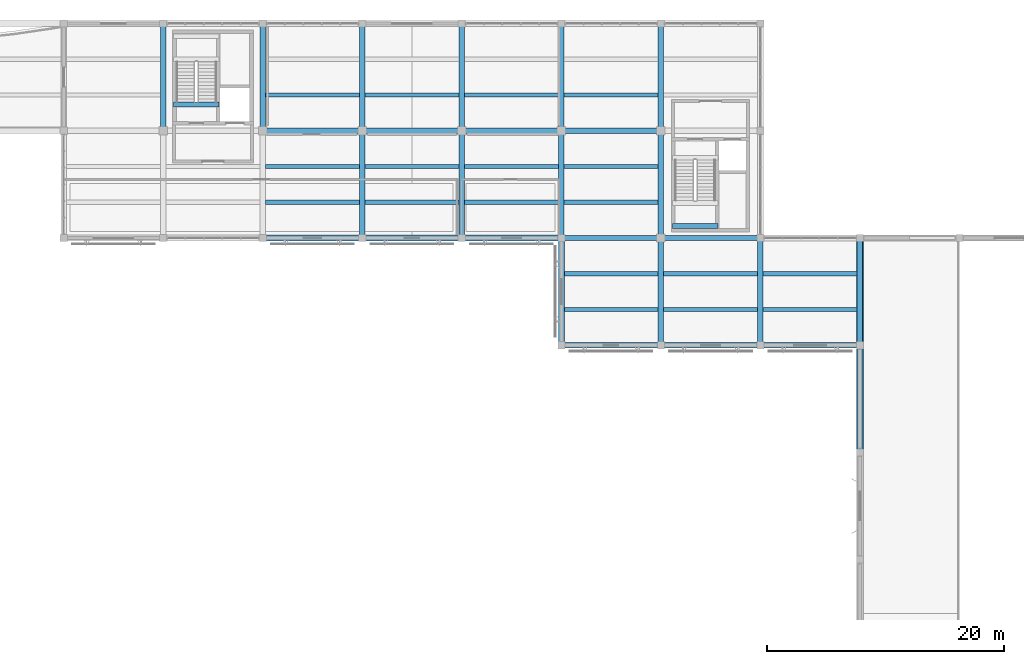
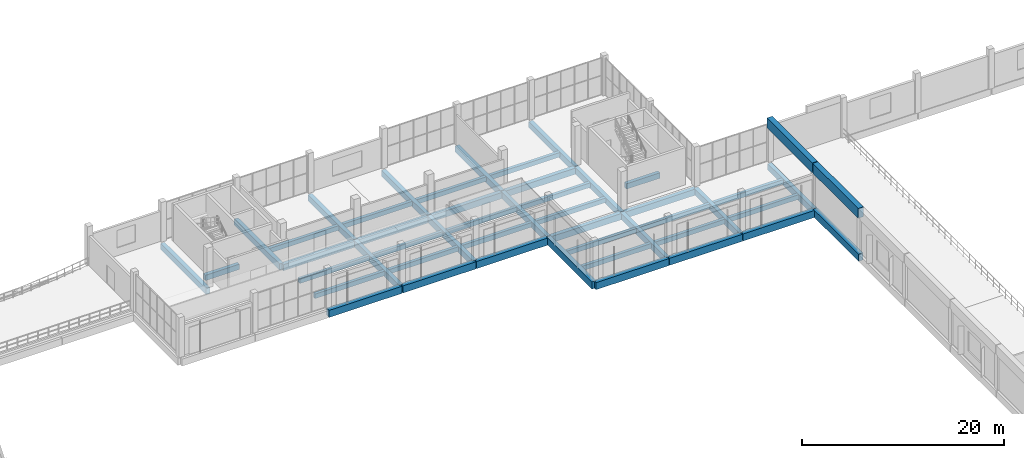
# One storey, part 31 of 80: 49 beams.
"""IFC4 building model written with IfcOpenShell, lengths in metres."""

from ifc_helpers import new_model, si_unit, direction, frame, origin, origin_2d, place, context, subcontext, project, spatial, rectangle, extrude, material, material_profile, profile_set, type_object, element, save


model = new_model("IFC4")

# Units and contexts
model_context = context("Model", 3, precision=1e-05, world=origin(), true_north=direction((0.0, 1.0)))
body_context = subcontext(model_context, "Body", "Model", "MODEL_VIEW")
ifc_project = project(units=[si_unit("LENGTHUNIT", "METRE"), si_unit("AREAUNIT", "SQUARE_METRE"), si_unit("VOLUMEUNIT", "CUBIC_METRE"), si_unit("PLANEANGLEUNIT", "RADIAN"), si_unit("MASSUNIT", "GRAM", prefix="KILO")], contexts=[model_context])

# Site, building, storey
site_placement = place(None, origin())
site = spatial("IfcSite", under=ifc_project, at=site_placement, CompositionType="ELEMENT")
building_placement = place(site_placement, origin())
building = spatial("IfcBuilding", under=site, at=building_placement, Name="Khurvash Pelagic Aquarium", CompositionType="ELEMENT")
storey_placement = place(building_placement, frame((0.0, 0.0, 10.800048828125)))
storey = spatial("IfcBuildingStorey", under=building, at=storey_placement, Name="L02", CompositionType="ELEMENT", Elevation=10.800048828125)

# Beams
ifc_material_1 = material(Name="Concrete C35/45", Category="concrete")
ifc_material_profile_1 = material_profile(ifc_material_1, rectangle(XDim=0.449951171875, YDim=0.75, at=origin_2d()), Name="RC450X750")
ifc_profile_set_1 = profile_set([ifc_material_profile_1], Name="Concrete C35/45")
beam_type_1 = type_object("IfcBeamType", Name="BM-04", PredefinedType="BEAM", material=ifc_profile_set_1)
beam_1_placement = place(storey_placement, frame((100.840087890625, 84.050048828125, -0.695068359375), z_axis=(1.0, 0.0, 0.0), x_axis=(0.0, 1.0, 0.0)))
element("IfcBeam", 1, at=beam_1_placement, inside=storey, type_object=beam_type_1, Name="L02 Primary Girder BM-04 00621", PredefinedType="BEAM", context=body_context, shape_type="SweptSolid", body=[
    extrude(rectangle(XDim=0.449951171875, YDim=0.75, at=origin_2d()), origin(), (0.0, 0.0, 1.0), 8.31982421875),
])
for number, where, z_axis, x_axis, name in (
    (2, (109.239990234375, 84.050048828125, -0.695068359375), (1.0, 0.0, 0.0), (0.0, 1.0, 0.0), "L02 Primary Girder BM-04 00622"),
    (3, (75.639892578125, 93.10009765625, -0.695068359375), (1.0, 0.0, 0.0), (0.0, 1.0, 0.0), "L02 Primary Girder BM-04 00634"),
    (4, (84.0400390625, 93.10009765625, -0.695068359375), (1.0, 0.0, 0.0), (0.0, 1.0, 0.0), "L02 Primary Girder BM-04 00635"),
    (5, (92.43994140625, 93.10009765625, -0.695068359375), (1.0, 0.0, 0.0), (0.0, 1.0, 0.0), "L02 Primary Girder BM-04 00636"),
):
    element("IfcBeam", number, at=place(storey_placement, frame(where, z_axis=z_axis, x_axis=x_axis)), inside=storey, type_object=beam_type_1, Name=name, PredefinedType="BEAM", context=body_context, shape_type="SweptSolid", body=[
        extrude(rectangle(XDim=0.449951171875, YDim=0.75, at=origin_2d()), origin(), (0.0, 0.0, 1.0), 8.320068359375),
    ])
beam_2_placement = place(storey_placement, frame((100.840087890625, 93.10009765625, -0.695068359375), z_axis=(1.0, 0.0, 0.0), x_axis=(0.0, 1.0, 0.0)))
element("IfcBeam", 6, at=beam_2_placement, inside=storey, type_object=beam_type_1, Name="L02 Primary Girder BM-04 00637", PredefinedType="BEAM", context=body_context, shape_type="SweptSolid", body=[
    extrude(rectangle(XDim=0.449951171875, YDim=0.75, at=origin_2d()), origin(), (0.0, 0.0, 1.0), 8.31982421875),
])
for number, where, z_axis, x_axis, name in (
    (7, (67.199951171875, 93.139892578125, -0.675048828125), (0.0, 1.0, 0.0), (-1.0, 0.0, 0.0), "L02 Primary Girder BM-04 00690"),
    (8, (75.60009765625, 93.139892578125, -0.675048828125), (0.0, 1.0, 0.0), (-1.0, 0.0, 0.0), "L02 Primary Girder BM-04 00694"),
):
    element("IfcBeam", number, at=place(storey_placement, frame(where, z_axis=z_axis, x_axis=x_axis)), inside=storey, type_object=beam_type_1, Name=name, PredefinedType="BEAM", context=body_context, shape_type="SweptSolid", body=[
        extrude(rectangle(XDim=0.449951171875, YDim=0.75, at=origin_2d()), origin(), (0.0, 0.0, 1.0), 8.97021484375),
    ])
beam_3_placement = place(storey_placement, frame((84.0, 84.090087890625, -0.675048828125), z_axis=(0.0, 1.0, 0.0), x_axis=(-1.0, 0.0, 0.0)))
element("IfcBeam", 9, at=beam_3_placement, inside=storey, type_object=beam_type_1, Name="L02 Primary Girder BM-04 00698", PredefinedType="BEAM", context=body_context, shape_type="SweptSolid", body=[
    extrude(rectangle(XDim=0.449951171875, YDim=0.75, at=origin_2d()), origin(), (0.0, 0.0, 1.0), 8.969970703125),
])
beam_4_placement = place(storey_placement, frame((84.0, 93.139892578125, -0.675048828125), z_axis=(0.0, 1.0, 0.0), x_axis=(-1.0, 0.0, 0.0)))
element("IfcBeam", 10, at=beam_4_placement, inside=storey, type_object=beam_type_1, Name="L02 Primary Girder BM-04 00699", PredefinedType="BEAM", context=body_context, shape_type="SweptSolid", body=[
    extrude(rectangle(XDim=0.449951171875, YDim=0.75, at=origin_2d()), origin(), (0.0, 0.0, 1.0), 8.97021484375),
])
beam_5_placement = place(storey_placement, frame((92.39990234375, 84.090087890625, -0.675048828125), z_axis=(0.0, 1.0, 0.0), x_axis=(-1.0, 0.0, 0.0)))
element("IfcBeam", 11, at=beam_5_placement, inside=storey, type_object=beam_type_1, Name="L02 Primary Girder BM-04 00703", PredefinedType="BEAM", context=body_context, shape_type="SweptSolid", body=[
    extrude(rectangle(XDim=0.449951171875, YDim=0.75, at=origin_2d()), origin(), (0.0, 0.0, 1.0), 8.969970703125),
])
beam_6_placement = place(storey_placement, frame((92.39990234375, 93.139892578125, -0.675048828125), z_axis=(0.0, 1.0, 0.0), x_axis=(-1.0, 0.0, 0.0)))
element("IfcBeam", 12, at=beam_6_placement, inside=storey, type_object=beam_type_1, Name="L02 Primary Girder BM-04 00704", PredefinedType="BEAM", context=body_context, shape_type="SweptSolid", body=[
    extrude(rectangle(XDim=0.449951171875, YDim=0.75, at=origin_2d()), origin(), (0.0, 0.0, 1.0), 8.97021484375),
])
beam_7_placement = place(storey_placement, frame((100.800048828125, 84.090087890625, -0.675048828125), z_axis=(0.0, 1.0, 0.0), x_axis=(-1.0, 0.0, 0.0)))
element("IfcBeam", 13, at=beam_7_placement, inside=storey, type_object=beam_type_1, Name="L02 Primary Girder BM-04 00709", PredefinedType="BEAM", context=body_context, shape_type="SweptSolid", body=[
    extrude(rectangle(XDim=0.449951171875, YDim=0.75, at=origin_2d()), origin(), (0.0, 0.0, 1.0), 8.969970703125),
])
beam_8_placement = place(storey_placement, frame((100.800048828125, 93.139892578125, -0.675048828125), z_axis=(0.0, 1.0, 0.0), x_axis=(-1.0, 0.0, 0.0)))
element("IfcBeam", 14, at=beam_8_placement, inside=storey, type_object=beam_type_1, Name="L02 Primary Girder BM-04 00710", PredefinedType="BEAM", context=body_context, shape_type="SweptSolid", body=[
    extrude(rectangle(XDim=0.449951171875, YDim=0.75, at=origin_2d()), origin(), (0.0, 0.0, 1.0), 8.97021484375),
])
for number, where, z_axis, x_axis, name in (
    (15, (109.199951171875, 75.0400390625, -0.675048828125), (0.0, 1.0, 0.0), (-1.0, 0.0, 0.0), "L02 Primary Girder BM-04 00714"),
    (16, (109.199951171875, 84.090087890625, -0.675048828125), (0.0, 1.0, 0.0), (-1.0, 0.0, 0.0), "L02 Primary Girder BM-04 00715"),
):
    element("IfcBeam", number, at=place(storey_placement, frame(where, z_axis=z_axis, x_axis=x_axis)), inside=storey, type_object=beam_type_1, Name=name, PredefinedType="BEAM", context=body_context, shape_type="SweptSolid", body=[
        extrude(rectangle(XDim=0.449951171875, YDim=0.75, at=origin_2d()), origin(), (0.0, 0.0, 1.0), 8.969970703125),
    ])
beam_9_placement = place(storey_placement, frame((109.199951171875, 93.139892578125, -0.675048828125), z_axis=(0.0, 1.0, 0.0), x_axis=(-1.0, 0.0, 0.0)))
element("IfcBeam", 17, at=beam_9_placement, inside=storey, type_object=beam_type_1, Name="L02 Primary Girder BM-04 00716", PredefinedType="BEAM", context=body_context, shape_type="SweptSolid", body=[
    extrude(rectangle(XDim=0.449951171875, YDim=0.75, at=origin_2d()), origin(), (0.0, 0.0, 1.0), 8.97021484375),
])
for number, where, z_axis, x_axis, name in (
    (18, (117.60009765625, 75.0400390625, -0.675048828125), (0.0, 1.0, 0.0), (-1.0, 0.0, 0.0), "L02 Primary Girder BM-04 00717"),
    (19, (126.0, 75.0400390625, -0.675048828125), (0.0, 1.0, 0.0), (-1.0, 0.0, 0.0), "L02 Primary Girder BM-04 00726"),
):
    element("IfcBeam", number, at=place(storey_placement, frame(where, z_axis=z_axis, x_axis=x_axis)), inside=storey, type_object=beam_type_1, Name=name, PredefinedType="BEAM", context=body_context, shape_type="SweptSolid", body=[
        extrude(rectangle(XDim=0.449951171875, YDim=0.75, at=origin_2d()), origin(), (0.0, 0.0, 1.0), 8.969970703125),
    ])
ifc_material_profile_2 = material_profile(ifc_material_1, rectangle(XDim=0.39990234375, YDim=0.64990234375, at=origin_2d()), Name="RC400X650")
ifc_profile_set_2 = profile_set([ifc_material_profile_2], Name="Concrete C35/45")
beam_type_2 = type_object("IfcBeamType", Name="BM-05", PredefinedType="BEAM", material=ifc_profile_set_2)
beam_10_placement = place(storey_placement, frame((68.080078125, 95.320068359375, -0.625), z_axis=(1.0, 0.0, 0.0), x_axis=(0.0, 1.0, 0.0)))
element("IfcBeam", 20, at=beam_10_placement, inside=storey, type_object=beam_type_2, Name="L02 Stair ST-04 Header Trimmer Beam BM-05", PredefinedType="BEAM", context=body_context, shape_type="SweptSolid", body=[
    extrude(rectangle(XDim=0.39990234375, YDim=0.64990234375, at=origin_2d()), origin(), (0.0, 0.0, 1.0), 3.83984375),
])
beam_11_placement = place(storey_placement, frame((110.179931640625, 85.070068359375, 1.875), z_axis=(1.0, 0.0, 0.0), x_axis=(0.0, 1.0, 0.0)))
element("IfcBeam", 21, at=beam_11_placement, inside=storey, type_object=beam_type_2, Name="L02 Stair ST-06 Mid-Landing Trimmer Beam BM-05", PredefinedType="BEAM", context=body_context, shape_type="SweptSolid", body=[
    extrude(rectangle(XDim=0.39990234375, YDim=0.64990234375, at=origin_2d()), origin(), (0.0, 0.0, 1.0), 3.840087890625),
])
ifc_material_profile_3 = material_profile(ifc_material_1, rectangle(XDim=0.35009765625, YDim=0.550048828125, at=origin_2d()), Name="RC350X550")
ifc_profile_set_3 = profile_set([ifc_material_profile_3], Name="Concrete C35/45")
beam_type_3 = type_object("IfcBeamType", Name="JS-01", PredefinedType="JOIST", material=ifc_profile_set_3)
for number, where, z_axis, x_axis, name in (
    (22, (75.824951171875, 87.06689453125, -0.574951171875), (1.0, 0.0, 0.0), (0.0, 1.0, 0.0), "L02 Floor Joist JS-01 00791"),
    (23, (75.824951171875, 90.0830078125, -0.574951171875), (1.0, 0.0, 0.0), (0.0, 1.0, 0.0), "L02 Floor Joist JS-01 00792"),
    (24, (75.824951171875, 96.116943359375, -0.574951171875), (1.0, 0.0, 0.0), (0.0, 1.0, 0.0), "L02 Floor Joist JS-01 00793"),
    (25, (84.22509765625, 87.06689453125, -0.574951171875), (1.0, 0.0, 0.0), (0.0, 1.0, 0.0), "L02 Floor Joist JS-01 00801"),
    (26, (84.22509765625, 90.0830078125, -0.574951171875), (1.0, 0.0, 0.0), (0.0, 1.0, 0.0), "L02 Floor Joist JS-01 00802"),
    (27, (84.22509765625, 96.116943359375, -0.574951171875), (1.0, 0.0, 0.0), (0.0, 1.0, 0.0), "L02 Floor Joist JS-01 00803"),
    (28, (92.625, 87.06689453125, -0.574951171875), (1.0, 0.0, 0.0), (0.0, 1.0, 0.0), "L02 Floor Joist JS-01 00809"),
    (29, (92.625, 90.0830078125, -0.574951171875), (1.0, 0.0, 0.0), (0.0, 1.0, 0.0), "L02 Floor Joist JS-01 00810"),
    (30, (92.625, 96.116943359375, -0.574951171875), (1.0, 0.0, 0.0), (0.0, 1.0, 0.0), "L02 Floor Joist JS-01 00811"),
):
    element("IfcBeam", number, at=place(storey_placement, frame(where, z_axis=z_axis, x_axis=x_axis)), inside=storey, type_object=beam_type_3, Name=name, PredefinedType="JOIST", context=body_context, shape_type="SweptSolid", body=[
        extrude(rectangle(XDim=0.35009765625, YDim=0.550048828125, at=origin_2d()), origin(), (0.0, 0.0, 1.0), 7.949951171875),
    ])
for number, where, z_axis, x_axis, name in (
    (31, (101.050048828125, 78.01708984375, -0.574951171875), (1.0, 0.0, 0.0), (0.0, 1.0, 0.0), "L02 Floor Joist JS-01 00819"),
    (32, (101.050048828125, 81.032958984375, -0.574951171875), (1.0, 0.0, 0.0), (0.0, 1.0, 0.0), "L02 Floor Joist JS-01 00820"),
):
    element("IfcBeam", number, at=place(storey_placement, frame(where, z_axis=z_axis, x_axis=x_axis)), inside=storey, type_object=beam_type_3, Name=name, PredefinedType="JOIST", context=body_context, shape_type="SweptSolid", body=[
        extrude(rectangle(XDim=0.35009765625, YDim=0.550048828125, at=origin_2d()), origin(), (0.0, 0.0, 1.0), 7.925048828125),
    ])
for number, where, z_axis, x_axis, name in (
    (33, (101.02490234375, 87.06689453125, -0.574951171875), (1.0, 0.0, 0.0), (0.0, 1.0, 0.0), "L02 Floor Joist JS-01 00821"),
    (34, (101.02490234375, 90.0830078125, -0.574951171875), (1.0, 0.0, 0.0), (0.0, 1.0, 0.0), "L02 Floor Joist JS-01 00822"),
    (35, (101.02490234375, 96.116943359375, -0.574951171875), (1.0, 0.0, 0.0), (0.0, 1.0, 0.0), "L02 Floor Joist JS-01 00823"),
):
    element("IfcBeam", number, at=place(storey_placement, frame(where, z_axis=z_axis, x_axis=x_axis)), inside=storey, type_object=beam_type_3, Name=name, PredefinedType="JOIST", context=body_context, shape_type="SweptSolid", body=[
        extrude(rectangle(XDim=0.35009765625, YDim=0.550048828125, at=origin_2d()), origin(), (0.0, 0.0, 1.0), 7.9501953125),
    ])
for number, where, z_axis, x_axis, name in (
    (36, (109.425048828125, 78.01708984375, -0.574951171875), (1.0, 0.0, 0.0), (0.0, 1.0, 0.0), "L02 Floor Joist JS-01 00825"),
    (37, (109.425048828125, 81.032958984375, -0.574951171875), (1.0, 0.0, 0.0), (0.0, 1.0, 0.0), "L02 Floor Joist JS-01 00826"),
    (38, (117.824951171875, 78.01708984375, -0.574951171875), (1.0, 0.0, 0.0), (0.0, 1.0, 0.0), "L02 Floor Joist JS-01 00829"),
    (39, (117.824951171875, 81.032958984375, -0.574951171875), (1.0, 0.0, 0.0), (0.0, 1.0, 0.0), "L02 Floor Joist JS-01 00830"),
):
    element("IfcBeam", number, at=place(storey_placement, frame(where, z_axis=z_axis, x_axis=x_axis)), inside=storey, type_object=beam_type_3, Name=name, PredefinedType="JOIST", context=body_context, shape_type="SweptSolid", body=[
        extrude(rectangle(XDim=0.35009765625, YDim=0.550048828125, at=origin_2d()), origin(), (0.0, 0.0, 1.0), 7.949951171875),
    ])
ifc_material_2 = material(Name="Concrete C40/50", Category="concrete")
ifc_material_profile_4 = material_profile(ifc_material_2, rectangle(XDim=0.60009765625, YDim=1.199951171875, at=origin_2d()), Name="RC600X1200")
ifc_profile_set_4 = profile_set([ifc_material_profile_4], Name="Concrete C40/50")
beam_type_4 = type_object("IfcBeamType", Name="SEB-01", PredefinedType="SPANDREL", material=ifc_profile_set_4)
for number, where, z_axis, x_axis, name in (
    (40, (126.0, 65.989990234375, 4.64990234375), (0.0, 1.0, 0.0), (-1.0, 0.0, 0.0), "Wave Shell West Springing Spandrel Edge Beam SEB-01 6"),
    (41, (126.0, 75.0400390625, 4.64990234375), (0.0, 1.0, 0.0), (-1.0, 0.0, 0.0), "Wave Shell West Springing Spandrel Edge Beam SEB-01 7"),
):
    element("IfcBeam", number, at=place(storey_placement, frame(where, z_axis=z_axis, x_axis=x_axis)), inside=storey, type_object=beam_type_4, Name=name, PredefinedType="SPANDREL", context=body_context, shape_type="SweptSolid", body=[
        extrude(rectangle(XDim=0.60009765625, YDim=1.199951171875, at=origin_2d()), origin(), (0.0, 0.0, 1.0), 8.969970703125),
    ])
ifc_material_profile_5 = material_profile(ifc_material_2, rectangle(XDim=0.5, YDim=0.85009765625, at=origin_2d()), Name="RC500X850")
ifc_profile_set_5 = profile_set([ifc_material_profile_5], Name="Concrete C40/50")
beam_type_5 = type_object("IfcBeamType", Name="SEB-03", PredefinedType="SPANDREL", material=ifc_profile_set_5)
beam_12_placement = place(storey_placement, frame((100.840087890625, 75.0, -0.7451171875), z_axis=(1.0, 0.0, 0.0), x_axis=(0.0, 1.0, 0.0)))
element("IfcBeam", 42, at=beam_12_placement, inside=storey, type_object=beam_type_5, Name="L02 Primary Girder SEB-03 00609", PredefinedType="SPANDREL", context=body_context, shape_type="SweptSolid", body=[
    extrude(rectangle(XDim=0.5, YDim=0.85009765625, at=origin_2d()), origin(), (0.0, 0.0, 1.0), 8.31982421875),
])
for number, where, z_axis, x_axis, name in (
    (43, (109.239990234375, 75.0, -0.7451171875), (1.0, 0.0, 0.0), (0.0, 1.0, 0.0), "L02 Primary Girder SEB-03 00610"),
    (44, (117.639892578125, 75.0, -0.7451171875), (1.0, 0.0, 0.0), (0.0, 1.0, 0.0), "L02 Primary Girder SEB-03 00611"),
    (45, (75.639892578125, 84.050048828125, -0.7451171875), (1.0, 0.0, 0.0), (0.0, 1.0, 0.0), "L02 Primary Girder SEB-03 00618"),
    (46, (84.0400390625, 84.050048828125, -0.7451171875), (1.0, 0.0, 0.0), (0.0, 1.0, 0.0), "L02 Primary Girder SEB-03 00619"),
    (47, (92.43994140625, 84.050048828125, -0.7451171875), (1.0, 0.0, 0.0), (0.0, 1.0, 0.0), "L02 Primary Girder SEB-03 00620"),
):
    element("IfcBeam", number, at=place(storey_placement, frame(where, z_axis=z_axis, x_axis=x_axis)), inside=storey, type_object=beam_type_5, Name=name, PredefinedType="SPANDREL", context=body_context, shape_type="SweptSolid", body=[
        extrude(rectangle(XDim=0.5, YDim=0.85009765625, at=origin_2d()), origin(), (0.0, 0.0, 1.0), 8.320068359375),
    ])
for number, where, z_axis, x_axis, name in (
    (48, (100.800048828125, 75.0400390625, -0.72509765625), (0.0, 1.0, 0.0), (-1.0, 0.0, 0.0), "L02 Primary Girder SEB-03 00708"),
    (49, (126.0, 65.989990234375, -0.72509765625), (0.0, 1.0, 0.0), (-1.0, 0.0, 0.0), "L02 Primary Girder SEB-03 00725"),
):
    element("IfcBeam", number, at=place(storey_placement, frame(where, z_axis=z_axis, x_axis=x_axis)), inside=storey, type_object=beam_type_5, Name=name, PredefinedType="SPANDREL", context=body_context, shape_type="SweptSolid", body=[
        extrude(rectangle(XDim=0.5, YDim=0.85009765625, at=origin_2d()), origin(), (0.0, 0.0, 1.0), 8.969970703125),
    ])

save(model, "model.ifc")
